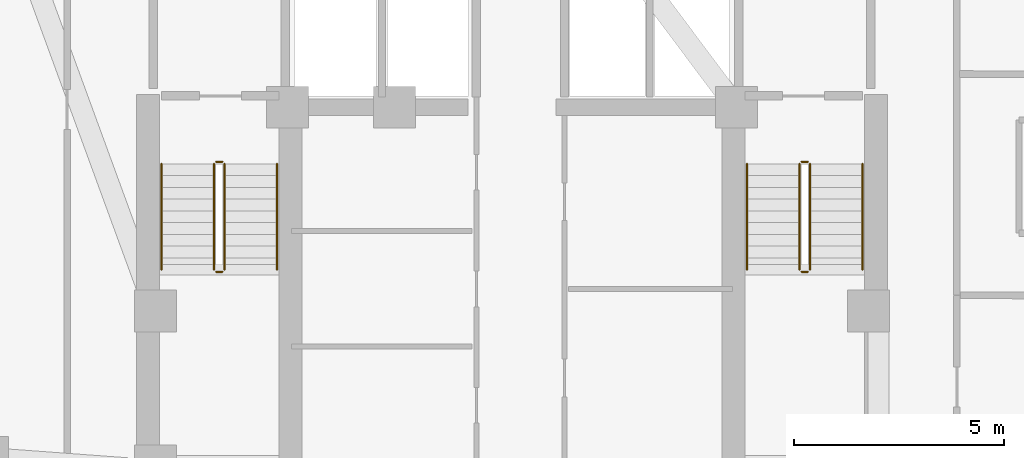
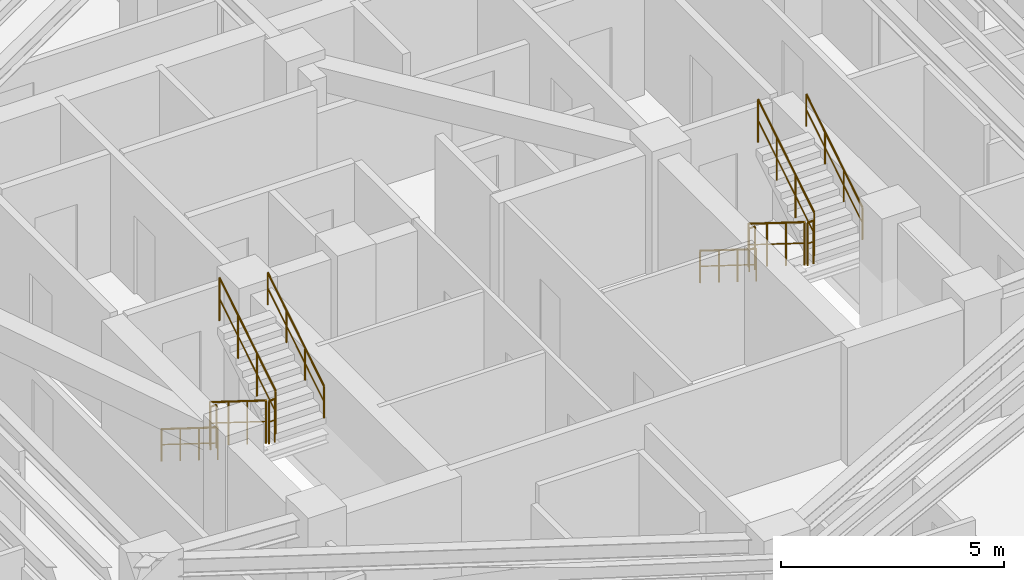
# One storey, part 12 of 12: 12 railings.
"""IFC4 building model written with IfcOpenShell, lengths in metres."""

from ifc_helpers import new_model, si_unit, direction, frame, origin, origin_2d, place, context, subcontext, project, spatial, circle, extrude, material, type_object, element, save


model = new_model("IFC4")

# Units and contexts
model_context = context("Model", 3, precision=1e-05, world=origin(), true_north=direction((0.0, 1.0)))
body_context = subcontext(model_context, "Body", "Model", "MODEL_VIEW")
ifc_project = project(units=[si_unit("LENGTHUNIT", "METRE"), si_unit("AREAUNIT", "SQUARE_METRE"), si_unit("VOLUMEUNIT", "CUBIC_METRE"), si_unit("PLANEANGLEUNIT", "RADIAN"), si_unit("MASSUNIT", "GRAM", prefix="KILO")], contexts=[model_context])

# Site, building, storey
site_placement = place(None, origin())
site = spatial("IfcSite", under=ifc_project, at=site_placement, CompositionType="ELEMENT")
building_placement = place(site_placement, origin())
building = spatial("IfcBuilding", under=site, at=building_placement, Name="Miruveldt Soraemaru", CompositionType="ELEMENT")
storey_placement = place(building_placement, frame((0.0, 0.0, 107.39990234375)))
storey = spatial("IfcBuildingStorey", under=building, at=storey_placement, Name="L29", CompositionType="ELEMENT", Elevation=107.39990234375)

# Railings
ifc_material = material(Name="Steel S355 (355 MPa)", Category="steel")
railing_type_1 = type_object("IfcRailingType", Name="RAIL-HR-900", PredefinedType="HANDRAIL", material=ifc_material)
railing_1_placement = place(storey_placement, frame((35.64990234375, 42.699951171875, 0.175048828125)))
element("IfcRailing", 1, at=railing_1_placement, inside=storey, type_object=railing_type_1, Name="L29 ST-1 stair handrail 1", PredefinedType="HANDRAIL", context=body_context, shape_type="SweptSolid", body=[
    extrude(circle(Radius=0.02392578125, at=origin_2d()), frame((0.0, 0.0, 0.8759765625), z_axis=(0.0, -0.848007534815, 0.529984170421), x_axis=(1.0, 0.0, 0.0)), (0.0, 0.0, 1.0), 2.9716796875),
    extrude(circle(Radius=0.01611328125, at=origin_2d()), frame((0.0, 0.0, 0.449951171875), z_axis=(0.0, -0.848007534815, 0.529984170421), x_axis=(1.0, 0.0, 0.0)), (0.0, 0.0, 1.0), 2.9716796875),
    extrude(circle(Radius=0.02099609375, at=origin_2d()), origin(), (0.0, 0.0, 1.0), 0.851806640625),
    extrude(circle(Radius=0.02099609375, at=origin_2d()), frame((0.0, -0.840087890625, 0.52490234375)), (0.0, 0.0, 1.0), 0.851806640625),
    extrude(circle(Radius=0.02099609375, at=origin_2d()), frame((0.0, -1.679931640625, 1.050048828125)), (0.0, 0.0, 1.0), 0.851806640625),
    extrude(circle(Radius=0.02099609375, at=origin_2d()), frame((0.0, -2.52001953125, 1.574951171875)), (0.0, 0.0, 1.0), 0.851806640625),
])
railing_2_placement = place(storey_placement, frame((38.39990234375, 40.179931640625, 1.925048828125)))
element("IfcRailing", 2, at=railing_2_placement, inside=storey, type_object=railing_type_1, Name="L29 ST-1 stair handrail 2", PredefinedType="HANDRAIL", context=body_context, shape_type="SweptSolid", body=[
    extrude(circle(Radius=0.02392578125, at=origin_2d()), frame((0.0, 0.0, 0.8759765625), z_axis=(0.0, 0.848007534815, 0.529984170421), x_axis=(-1.0, 0.0, 0.0)), (0.0, 0.0, 1.0), 2.9716796875),
    extrude(circle(Radius=0.01611328125, at=origin_2d()), frame((0.0, 0.0, 0.449951171875), z_axis=(0.0, 0.848007534815, 0.529984170421), x_axis=(-1.0, 0.0, 0.0)), (0.0, 0.0, 1.0), 2.9716796875),
    extrude(circle(Radius=0.02099609375, at=origin_2d()), origin(), (0.0, 0.0, 1.0), 0.851806640625),
    extrude(circle(Radius=0.02099609375, at=origin_2d()), frame((0.0, 0.840087890625, 0.52490234375)), (0.0, 0.0, 1.0), 0.851806640625),
    extrude(circle(Radius=0.02099609375, at=origin_2d()), frame((0.0, 1.679931640625, 1.050048828125)), (0.0, 0.0, 1.0), 0.851806640625),
    extrude(circle(Radius=0.02099609375, at=origin_2d()), frame((0.0, 2.52001953125, 1.574951171875)), (0.0, 0.0, 1.0), 0.851806640625),
])
railing_3_placement = place(storey_placement, frame((49.60009765625, 42.699951171875, 0.175048828125)))
element("IfcRailing", 3, at=railing_3_placement, inside=storey, type_object=railing_type_1, Name="L29 ST-2 stair handrail 1", PredefinedType="HANDRAIL", context=body_context, shape_type="SweptSolid", body=[
    extrude(circle(Radius=0.02392578125, at=origin_2d()), frame((0.0, 0.0, 0.8759765625), z_axis=(0.0, -0.848007534815, 0.529984170421), x_axis=(1.0, 0.0, 0.0)), (0.0, 0.0, 1.0), 2.9716796875),
    extrude(circle(Radius=0.01611328125, at=origin_2d()), frame((0.0, 0.0, 0.449951171875), z_axis=(0.0, -0.848007534815, 0.529984170421), x_axis=(1.0, 0.0, 0.0)), (0.0, 0.0, 1.0), 2.9716796875),
    extrude(circle(Radius=0.02099609375, at=origin_2d()), origin(), (0.0, 0.0, 1.0), 0.851806640625),
    extrude(circle(Radius=0.02099609375, at=origin_2d()), frame((0.0, -0.840087890625, 0.52490234375)), (0.0, 0.0, 1.0), 0.851806640625),
    extrude(circle(Radius=0.02099609375, at=origin_2d()), frame((0.0, -1.679931640625, 1.050048828125)), (0.0, 0.0, 1.0), 0.851806640625),
    extrude(circle(Radius=0.02099609375, at=origin_2d()), frame((0.0, -2.52001953125, 1.574951171875)), (0.0, 0.0, 1.0), 0.851806640625),
])
railing_4_placement = place(storey_placement, frame((52.35009765625, 40.179931640625, 1.925048828125)))
element("IfcRailing", 4, at=railing_4_placement, inside=storey, type_object=railing_type_1, Name="L29 ST-2 stair handrail 2", PredefinedType="HANDRAIL", context=body_context, shape_type="SweptSolid", body=[
    extrude(circle(Radius=0.02392578125, at=origin_2d()), frame((0.0, 0.0, 0.8759765625), z_axis=(0.0, 0.848007534815, 0.529984170421), x_axis=(-1.0, 0.0, 0.0)), (0.0, 0.0, 1.0), 2.9716796875),
    extrude(circle(Radius=0.01611328125, at=origin_2d()), frame((0.0, 0.0, 0.449951171875), z_axis=(0.0, 0.848007534815, 0.529984170421), x_axis=(-1.0, 0.0, 0.0)), (0.0, 0.0, 1.0), 2.9716796875),
    extrude(circle(Radius=0.02099609375, at=origin_2d()), origin(), (0.0, 0.0, 1.0), 0.851806640625),
    extrude(circle(Radius=0.02099609375, at=origin_2d()), frame((0.0, 0.840087890625, 0.52490234375)), (0.0, 0.0, 1.0), 0.851806640625),
    extrude(circle(Radius=0.02099609375, at=origin_2d()), frame((0.0, 1.679931640625, 1.050048828125)), (0.0, 0.0, 1.0), 0.851806640625),
    extrude(circle(Radius=0.02099609375, at=origin_2d()), frame((0.0, 2.52001953125, 1.574951171875)), (0.0, 0.0, 1.0), 0.851806640625),
])
railing_type_2 = type_object("IfcRailingType", Name="RAIL-STGUARD-1200", PredefinedType="GUARDRAIL", material=ifc_material)
railing_5_placement = place(storey_placement, frame((36.89990234375, 42.699951171875, 0.175048828125)))
element("IfcRailing", 5, at=railing_5_placement, inside=storey, type_object=railing_type_2, Name="L29 ST-1 stair guard 1", PredefinedType="GUARDRAIL", context=body_context, shape_type="SweptSolid", body=[
    extrude(circle(Radius=0.02392578125, at=origin_2d()), frame((0.0, 0.0, 1.17578125), z_axis=(0.0, -0.848007534815, 0.529984170421), x_axis=(1.0, 0.0, 0.0)), (0.0, 0.0, 1.0), 2.9716796875),
    extrude(circle(Radius=0.01611328125, at=origin_2d()), frame((0.0, 0.0, 0.60009765625), z_axis=(0.0, -0.848007534815, 0.529984170421), x_axis=(1.0, 0.0, 0.0)), (0.0, 0.0, 1.0), 2.9716796875),
    extrude(circle(Radius=0.02099609375, at=origin_2d()), origin(), (0.0, 0.0, 1.0), 1.15185546875),
    extrude(circle(Radius=0.02099609375, at=origin_2d()), frame((0.0, -0.840087890625, 0.52490234375)), (0.0, 0.0, 1.0), 1.15185546875),
    extrude(circle(Radius=0.02099609375, at=origin_2d()), frame((0.0, -1.679931640625, 1.050048828125)), (0.0, 0.0, 1.0), 1.15185546875),
    extrude(circle(Radius=0.02099609375, at=origin_2d()), frame((0.0, -2.52001953125, 1.574951171875)), (0.0, 0.0, 1.0), 1.15185546875),
])
railing_6_placement = place(storey_placement, frame((36.949951171875, 40.1298828125, 1.75)))
element("IfcRailing", 6, at=railing_6_placement, inside=storey, type_object=railing_type_2, Name="L29 ST-1 stair guard 2", PredefinedType="GUARDRAIL", context=body_context, shape_type="SweptSolid", body=[
    extrude(circle(Radius=0.02392578125, at=origin_2d()), frame((0.0, 0.0, 1.17578125), z_axis=(1.0, 0.0, 0.0), x_axis=(0.0, 1.0, 0.0)), (0.0, 0.0, 1.0), 0.150146484375),
    extrude(circle(Radius=0.01611328125, at=origin_2d()), frame((0.0, 0.0, 0.60009765625), z_axis=(1.0, 0.0, 0.0), x_axis=(0.0, 1.0, 0.0)), (0.0, 0.0, 1.0), 0.150146484375),
    extrude(circle(Radius=0.02099609375, at=origin_2d()), origin(), (0.0, 0.0, 1.0), 1.15185546875),
    extrude(circle(Radius=0.02099609375, at=origin_2d()), frame((0.150146484375, 0.0, 0.0)), (0.0, 0.0, 1.0), 1.15185546875),
])
railing_7_placement = place(storey_placement, frame((37.14990234375, 40.179931640625, 1.925048828125)))
element("IfcRailing", 7, at=railing_7_placement, inside=storey, type_object=railing_type_2, Name="L29 ST-1 stair guard 3", PredefinedType="GUARDRAIL", context=body_context, shape_type="SweptSolid", body=[
    extrude(circle(Radius=0.02392578125, at=origin_2d()), frame((0.0, 0.0, 1.17578125), z_axis=(0.0, 0.848007534815, 0.529984170421), x_axis=(-1.0, 0.0, 0.0)), (0.0, 0.0, 1.0), 2.9716796875),
    extrude(circle(Radius=0.01611328125, at=origin_2d()), frame((0.0, 0.0, 0.60009765625), z_axis=(0.0, 0.848007534815, 0.529984170421), x_axis=(-1.0, 0.0, 0.0)), (0.0, 0.0, 1.0), 2.9716796875),
    extrude(circle(Radius=0.02099609375, at=origin_2d()), origin(), (0.0, 0.0, 1.0), 1.15185546875),
    extrude(circle(Radius=0.02099609375, at=origin_2d()), frame((0.0, 0.840087890625, 0.52490234375)), (0.0, 0.0, 1.0), 1.15185546875),
    extrude(circle(Radius=0.02099609375, at=origin_2d()), frame((0.0, 1.679931640625, 1.050048828125)), (0.0, 0.0, 1.0), 1.15185546875),
    extrude(circle(Radius=0.02099609375, at=origin_2d()), frame((0.0, 2.52001953125, 1.574951171875)), (0.0, 0.0, 1.0), 1.15185546875),
])
railing_8_placement = place(storey_placement, frame((36.949951171875, 42.75, 0.0)))
element("IfcRailing", 8, at=railing_8_placement, inside=storey, type_object=railing_type_2, Name="L29 ST-1 stair guard 4", PredefinedType="GUARDRAIL", context=body_context, shape_type="SweptSolid", body=[
    extrude(circle(Radius=0.02392578125, at=origin_2d()), frame((0.0, 0.0, 1.17578125), z_axis=(1.0, 0.0, 0.0), x_axis=(0.0, 1.0, 0.0)), (0.0, 0.0, 1.0), 0.150146484375),
    extrude(circle(Radius=0.01611328125, at=origin_2d()), frame((0.0, 0.0, 0.60009765625), z_axis=(1.0, 0.0, 0.0), x_axis=(0.0, 1.0, 0.0)), (0.0, 0.0, 1.0), 0.150146484375),
    extrude(circle(Radius=0.02099609375, at=origin_2d()), origin(), (0.0, 0.0, 1.0), 1.15185546875),
    extrude(circle(Radius=0.02099609375, at=origin_2d()), frame((0.150146484375, 0.0, 0.0)), (0.0, 0.0, 1.0), 1.15185546875),
])
railing_9_placement = place(storey_placement, frame((50.85009765625, 42.699951171875, 0.175048828125)))
element("IfcRailing", 9, at=railing_9_placement, inside=storey, type_object=railing_type_2, Name="L29 ST-2 stair guard 1", PredefinedType="GUARDRAIL", context=body_context, shape_type="SweptSolid", body=[
    extrude(circle(Radius=0.02392578125, at=origin_2d()), frame((0.0, 0.0, 1.17578125), z_axis=(0.0, -0.848007534815, 0.529984170421), x_axis=(1.0, 0.0, 0.0)), (0.0, 0.0, 1.0), 2.9716796875),
    extrude(circle(Radius=0.01611328125, at=origin_2d()), frame((0.0, 0.0, 0.60009765625), z_axis=(0.0, -0.848007534815, 0.529984170421), x_axis=(1.0, 0.0, 0.0)), (0.0, 0.0, 1.0), 2.9716796875),
    extrude(circle(Radius=0.02099609375, at=origin_2d()), origin(), (0.0, 0.0, 1.0), 1.15185546875),
    extrude(circle(Radius=0.02099609375, at=origin_2d()), frame((0.0, -0.840087890625, 0.52490234375)), (0.0, 0.0, 1.0), 1.15185546875),
    extrude(circle(Radius=0.02099609375, at=origin_2d()), frame((0.0, -1.679931640625, 1.050048828125)), (0.0, 0.0, 1.0), 1.15185546875),
    extrude(circle(Radius=0.02099609375, at=origin_2d()), frame((0.0, -2.52001953125, 1.574951171875)), (0.0, 0.0, 1.0), 1.15185546875),
])
railing_10_placement = place(storey_placement, frame((50.89990234375, 40.1298828125, 1.75)))
element("IfcRailing", 10, at=railing_10_placement, inside=storey, type_object=railing_type_2, Name="L29 ST-2 stair guard 2", PredefinedType="GUARDRAIL", context=body_context, shape_type="SweptSolid", body=[
    extrude(circle(Radius=0.02392578125, at=origin_2d()), frame((0.0, 0.0, 1.17578125), z_axis=(1.0, 0.0, 0.0), x_axis=(0.0, 1.0, 0.0)), (0.0, 0.0, 1.0), 0.150146484375),
    extrude(circle(Radius=0.01611328125, at=origin_2d()), frame((0.0, 0.0, 0.60009765625), z_axis=(1.0, 0.0, 0.0), x_axis=(0.0, 1.0, 0.0)), (0.0, 0.0, 1.0), 0.150146484375),
    extrude(circle(Radius=0.02099609375, at=origin_2d()), origin(), (0.0, 0.0, 1.0), 1.15185546875),
    extrude(circle(Radius=0.02099609375, at=origin_2d()), frame((0.150146484375, 0.0, 0.0)), (0.0, 0.0, 1.0), 1.15185546875),
])
railing_11_placement = place(storey_placement, frame((51.10009765625, 40.179931640625, 1.925048828125)))
element("IfcRailing", 11, at=railing_11_placement, inside=storey, type_object=railing_type_2, Name="L29 ST-2 stair guard 3", PredefinedType="GUARDRAIL", context=body_context, shape_type="SweptSolid", body=[
    extrude(circle(Radius=0.02392578125, at=origin_2d()), frame((0.0, 0.0, 1.17578125), z_axis=(0.0, 0.848007534815, 0.529984170421), x_axis=(-1.0, 0.0, 0.0)), (0.0, 0.0, 1.0), 2.9716796875),
    extrude(circle(Radius=0.01611328125, at=origin_2d()), frame((0.0, 0.0, 0.60009765625), z_axis=(0.0, 0.848007534815, 0.529984170421), x_axis=(-1.0, 0.0, 0.0)), (0.0, 0.0, 1.0), 2.9716796875),
    extrude(circle(Radius=0.02099609375, at=origin_2d()), origin(), (0.0, 0.0, 1.0), 1.15185546875),
    extrude(circle(Radius=0.02099609375, at=origin_2d()), frame((0.0, 0.840087890625, 0.52490234375)), (0.0, 0.0, 1.0), 1.15185546875),
    extrude(circle(Radius=0.02099609375, at=origin_2d()), frame((0.0, 1.679931640625, 1.050048828125)), (0.0, 0.0, 1.0), 1.15185546875),
    extrude(circle(Radius=0.02099609375, at=origin_2d()), frame((0.0, 2.52001953125, 1.574951171875)), (0.0, 0.0, 1.0), 1.15185546875),
])
railing_12_placement = place(storey_placement, frame((50.89990234375, 42.75, 0.0)))
element("IfcRailing", 12, at=railing_12_placement, inside=storey, type_object=railing_type_2, Name="L29 ST-2 stair guard 4", PredefinedType="GUARDRAIL", context=body_context, shape_type="SweptSolid", body=[
    extrude(circle(Radius=0.02392578125, at=origin_2d()), frame((0.0, 0.0, 1.17578125), z_axis=(1.0, 0.0, 0.0), x_axis=(0.0, 1.0, 0.0)), (0.0, 0.0, 1.0), 0.150146484375),
    extrude(circle(Radius=0.01611328125, at=origin_2d()), frame((0.0, 0.0, 0.60009765625), z_axis=(1.0, 0.0, 0.0), x_axis=(0.0, 1.0, 0.0)), (0.0, 0.0, 1.0), 0.150146484375),
    extrude(circle(Radius=0.02099609375, at=origin_2d()), origin(), (0.0, 0.0, 1.0), 1.15185546875),
    extrude(circle(Radius=0.02099609375, at=origin_2d()), frame((0.150146484375, 0.0, 0.0)), (0.0, 0.0, 1.0), 1.15185546875),
])

save(model, "model.ifc")
